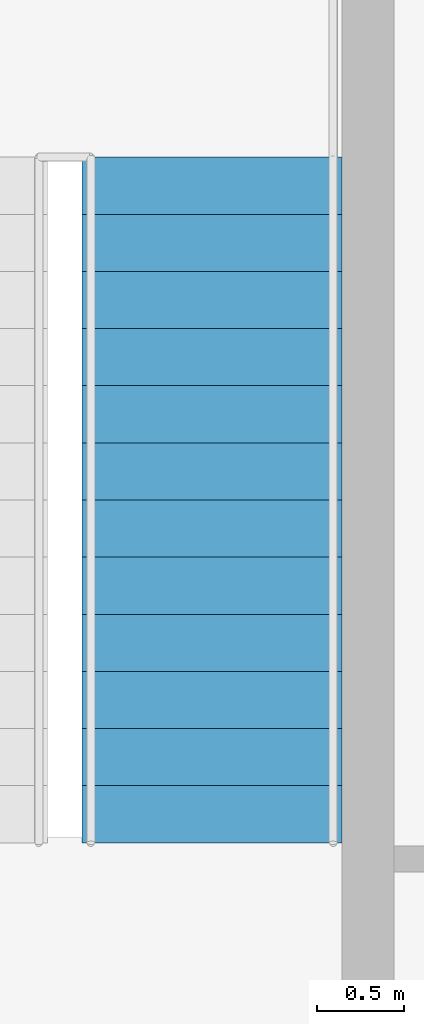
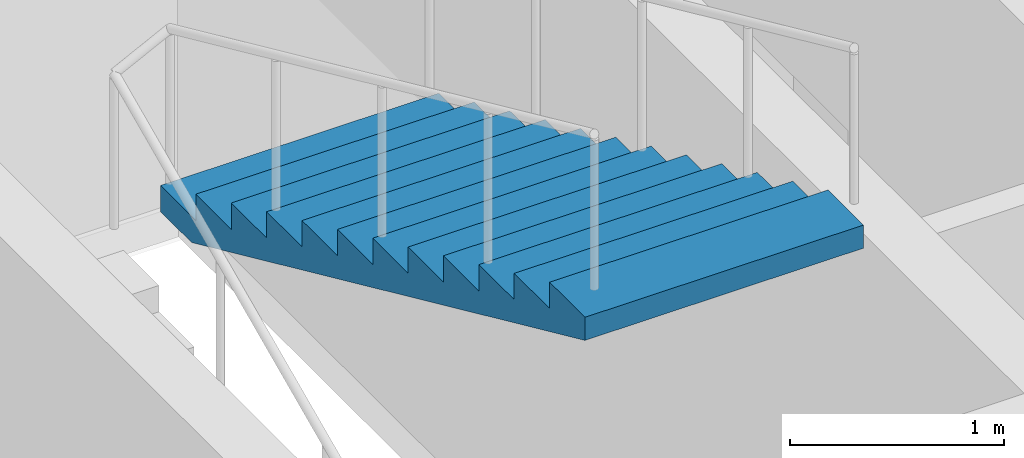
# One storey, part 10 of 11: 1 stair flight, 1 element without a shape of its own.
"""IFC4 building model written with IfcOpenShell, lengths in metres."""

import ifcopenshell
import ifcopenshell.guid

model = None  # the IFC model being written
_history = None  # IfcOwnerHistory: only IFC2X3 demands one
_inside = {}  # id of a spatial element -> (the spatial element, [elements in it])
_under = {}  # id of a project, library or spatial element -> (it, [spatial elements below it])
_declared = {}  # id of a project -> (the project, [libraries it declares])
_typed = {}  # id of a type object -> (the type object, [elements of that type])
_made_of = {}  # id of a material, layer set ... -> (it, [elements and type objects made of it])


def new_model(schema):
    """Start an empty IFC model of exactly this schema.

    Asked for "IFC4X3", IfcOpenShell would pick the latest addendum, in which some entities
    have other attributes; the version numbers below select the first issue.
    IFC2X3 requires an IfcOwnerHistory on every rooted entity: one is made here for all.
    """
    global model, _history
    if schema == "IFC4X3":
        model = ifcopenshell.file(schema_version=(4, 3, 0, 0))
    else:
        model = ifcopenshell.file(schema=schema)
    _inside.clear()
    _under.clear()
    _declared.clear()
    _typed.clear()
    _made_of.clear()
    _history = None
    if model.schema == "IFC2X3":
        org = make("IfcOrganization", Name="unknown")
        user = make(
            "IfcPersonAndOrganization",
            ThePerson=make("IfcPerson", FamilyName="unknown"),
            TheOrganization=org,
        )
        app = make(
            "IfcApplication",
            ApplicationDeveloper=org,
            Version="unknown",
            ApplicationFullName="unknown",
            ApplicationIdentifier="unknown",
        )
        _history = make(
            "IfcOwnerHistory",
            OwningUser=user,
            OwningApplication=app,
            ChangeAction="ADDED",
            CreationDate=0,
        )
    return model


def make(cls, **values):
    """One entity of the class cls with the attributes given. An attribute that is None is left unset."""
    return model.create_entity(
        cls, **{name: value for name, value in values.items() if value is not None}
    )


def rooted(cls, **values):
    """An entity with a GlobalId (a new one), such as an element, a storey or a relation."""
    return make(cls, GlobalId=ifcopenshell.guid.new(), OwnerHistory=_history, **values)


def si_unit(unit_type, name, prefix=None):
    """IfcSIUnit, for example si_unit("LENGTHUNIT", "METRE", prefix="MILLI")."""
    return make("IfcSIUnit", UnitType=unit_type, Prefix=prefix, Name=name)


def assignment(units):
    """IfcUnitAssignment: the units of a project."""
    return None if units is None else make("IfcUnitAssignment", Units=units)


def point(xyz):
    """IfcCartesianPoint."""
    return None if xyz is None else make("IfcCartesianPoint", Coordinates=xyz)


def direction(xyz):
    """IfcDirection."""
    return None if xyz is None else make("IfcDirection", DirectionRatios=xyz)


def frame(location, z_axis=None, x_axis=None):
    """IfcAxis2Placement3D, a coordinate frame: its origin and axes. An axis left out is left unset."""
    return make(
        "IfcAxis2Placement3D",
        Location=point(location),
        Axis=direction(z_axis),
        RefDirection=direction(x_axis),
    )


def origin():
    """The frame at (0, 0, 0) with its axes left unset."""
    return frame((0.0, 0.0, 0.0))


def place(relative_to, where):
    """IfcLocalPlacement: puts the frame where relative to a parent placement (None: the world)."""
    return make(
        "IfcLocalPlacement", PlacementRelTo=relative_to, RelativePlacement=where
    )


def context(
    kind, dimensions, precision=None, world=None, true_north=None, identifier=None
):
    """IfcGeometricRepresentationContext, for example the 3D "Model" context."""
    return make(
        "IfcGeometricRepresentationContext",
        ContextIdentifier=identifier,
        ContextType=kind,
        CoordinateSpaceDimension=dimensions,
        Precision=precision,
        WorldCoordinateSystem=world,
        TrueNorth=true_north,
    )


def subcontext(parent, identifier, kind, view, scale=None):
    """IfcGeometricRepresentationSubContext, for example "Body" below "Model"."""
    return make(
        "IfcGeometricRepresentationSubContext",
        ContextIdentifier=identifier,
        ContextType=kind,
        ParentContext=parent,
        TargetScale=scale,
        TargetView=view,
    )


def project(units=None, contexts=None):
    """IfcProject with its units and contexts."""
    return rooted(
        "IfcProject",
        Name="project",
        RepresentationContexts=contexts,
        UnitsInContext=assignment(units),
    )


def spatial(cls, under=None, at=None, **own):
    """A site, building, storey or space (cls), placed at a placement, below another one or the project."""
    s = rooted(cls, ObjectPlacement=at, **own)
    if under is not None:
        _under.setdefault(under.id(), (under, []))[1].append(s)
    return s


def point_list(points):
    """IfcCartesianPointList2D or 3D."""
    cls = (
        "IfcCartesianPointList2D" if len(points[0]) == 2 else "IfcCartesianPointList3D"
    )
    return make(cls, CoordList=points)


def polygons(points, faces, closed=None, point_numbers=None):
    """IfcPolygonalFaceSet: a face is its outer loop, then its inner loops; points numbered from 1."""
    made = []
    for loops in faces:
        if len(loops) == 1:
            made.append(make("IfcIndexedPolygonalFace", CoordIndex=loops[0]))
        else:
            made.append(
                make(
                    "IfcIndexedPolygonalFaceWithVoids",
                    CoordIndex=loops[0],
                    InnerCoordIndices=loops[1:],
                )
            )
    return make(
        "IfcPolygonalFaceSet",
        Coordinates=point_list(points),
        Closed=closed,
        Faces=made,
        PnIndex=point_numbers,
    )


def shape(context_of_items, identifier, shape_type, items):
    """IfcShapeRepresentation: the items that make up one representation, for example the "Body"."""
    return make(
        "IfcShapeRepresentation",
        ContextOfItems=context_of_items,
        RepresentationIdentifier=identifier,
        RepresentationType=shape_type,
        Items=items,
    )


def material(Name=None, Category=None):
    """IfcMaterial."""
    return make("IfcMaterial", Name=Name, Category=Category)


def made_of(thing, what):
    """Note that an element or type object is made of a material, layer set ...; save() writes the relation."""
    if what is not None:
        _made_of.setdefault(what.id(), (what, []))[1].append(thing)
    return thing


def type_object(cls, material=None, **own):
    """A type object (cls), such as IfcWallType, which elements share."""
    return made_of(rooted(cls, **own), material)


def element(
    cls,
    number,
    at=None,
    inside=None,
    cuts=None,
    type_object=None,
    material=None,
    context=None,
    identifier="Body",
    shape_type=None,
    held_by="IfcProductDefinitionShape",
    body=None,
    shapes=None,
    **own,
):
    """One element of the class cls, such as IfcWall. Its Tag is "e" and its number.

    at: its placement. inside: the storey or other place that contains it. cuts: it is an
    opening in that element (IfcRelVoidsElement). A single representation is given by context,
    identifier, shape_type and body (its items); several are given by shapes. held_by: the class
    of the entity that holds the representations. save() writes the other relations.
    """
    e = rooted(cls, Tag="e%d" % number, ObjectPlacement=at, **own)
    if body is not None:
        shapes = [shape(context, identifier, shape_type, body)]
    if shapes is not None:
        e.Representation = make(held_by, Representations=shapes)
    if inside is not None:
        _inside.setdefault(inside.id(), (inside, []))[1].append(e)
    if cuts is not None:
        rooted(
            "IfcRelVoidsElement", RelatingBuildingElement=cuts, RelatedOpeningElement=e
        )
    if type_object is not None:
        _typed.setdefault(type_object.id(), (type_object, []))[1].append(e)
    return made_of(e, material)


def aggregate(whole, parts):
    """IfcRelAggregates: a whole, such as a stair, and the parts it consists of."""
    return rooted("IfcRelAggregates", RelatingObject=whole, RelatedObjects=parts)


def save(model, path):
    """Write the relations noted so far, then the file.

    IfcRelAggregates (storeys below a building ...), IfcRelContainedInSpatialStructure (elements
    in a storey), IfcRelDefinesByType, IfcRelAssociatesMaterial and IfcRelDeclares: one each for
    every whole, place, type object, material and project.
    """
    for whole, parts in _under.values():
        aggregate(whole, parts)
    for where, things in _inside.values():
        rooted(
            "IfcRelContainedInSpatialStructure",
            RelatedElements=things,
            RelatingStructure=where,
        )
    for kind, things in _typed.values():
        rooted("IfcRelDefinesByType", RelatedObjects=things, RelatingType=kind)
    for what, things in _made_of.values():
        rooted("IfcRelAssociatesMaterial", RelatedObjects=things, RelatingMaterial=what)
    for by, libraries in _declared.values():
        rooted("IfcRelDeclares", RelatingContext=by, RelatedDefinitions=libraries)
    model.write(path)


model = new_model("IFC4")

# Units and contexts
model_context = context("Model", 3, precision=1e-05, world=origin(), true_north=direction((0.0, 1.0)))
body_context = subcontext(model_context, "Body", "Model", "MODEL_VIEW")
ifc_project = project(units=[si_unit("LENGTHUNIT", "METRE"), si_unit("AREAUNIT", "SQUARE_METRE"), si_unit("VOLUMEUNIT", "CUBIC_METRE"), si_unit("PLANEANGLEUNIT", "RADIAN"), si_unit("MASSUNIT", "GRAM", prefix="KILO")], contexts=[model_context])

# Site, building, storey
site_placement = place(None, origin())
site = spatial("IfcSite", under=ifc_project, at=site_placement, CompositionType="ELEMENT")
building_placement = place(site_placement, origin())
building = spatial("IfcBuilding", under=site, at=building_placement, Name="Njiva Tower", CompositionType="ELEMENT")
storey_placement = place(building_placement, frame((0.0, 0.0, 182.7)))
storey = spatial("IfcBuildingStorey", under=building, at=storey_placement, Name="L40", CompositionType="ELEMENT", Elevation=182.7)

# Stair, stair flight
ifc_material = material(Name="Concrete C40/50", Category="concrete")
stair_type = type_object("IfcStairType", Name="ST4 Exit stair 1500", PredefinedType="HALF_TURN_STAIR", material=ifc_material)
stair_placement = place(storey_placement, origin())
stair = element("IfcStair", 1, at=stair_placement, inside=storey, type_object=stair_type, Name="Stair B", PredefinedType="HALF_TURN_STAIR")
stair_flight_type = type_object("IfcStairFlightType", Name="FL4 Stair flight 1500", PredefinedType="STRAIGHT", material=ifc_material)
stair_flight_placement = place(storey_placement, frame((13.45, 15.06, 1.95), z_axis=(0.0, 0.0, 1.0), x_axis=(0.0, -1.0, 0.0)))
stair_flight = element("IfcStairFlight", 2, at=stair_flight_placement, type_object=stair_flight_type, Name="ST-B flight 2", NumberOfRisers=13, NumberOfTreads=12, PredefinedType="STRAIGHT", RiserHeight=0.15, TreadLength=0.33, context=body_context, shape_type="Tessellation", body=[
    polygons([(0.0, 0.75, 0.0), (0.0, 0.375, 0.0), (0.0, 0.0, 0.0), (0.0, -0.375, 0.0), (0.0, -0.75, 0.0), (0.0, 0.75, 0.15), (0.0, 0.375, 0.15), (0.0, 0.0, 0.15), (0.0, -0.375, 0.15), (0.0, -0.75, 0.15), (0.33, 0.75, 0.15), (0.33, 0.375, 0.15), (0.33, 0.0, 0.15), (0.33, -0.375, 0.15), (0.33, -0.75, 0.15), (0.33, 0.75, 0.3), (0.33, 0.375, 0.3), (0.33, 0.0, 0.3), (0.33, -0.375, 0.3), (0.33, -0.75, 0.3), (0.66, 0.75, 0.3), (0.66, 0.375, 0.3), (0.66, 0.0, 0.3), (0.66, -0.375, 0.3), (0.66, -0.75, 0.3), (0.66, 0.75, 0.45), (0.66, 0.375, 0.45), (0.66, 0.0, 0.45), (0.66, -0.375, 0.45), (0.66, -0.75, 0.45), (0.99, 0.75, 0.45), (0.99, 0.375, 0.45), (0.99, 0.0, 0.45), (0.99, -0.375, 0.45), (0.99, -0.75, 0.45), (0.99, 0.75, 0.6), (0.99, 0.375, 0.6), (0.99, 0.0, 0.6), (0.99, -0.375, 0.6), (0.99, -0.75, 0.6), (1.32, 0.75, 0.6), (1.32, 0.375, 0.6), (1.32, 0.0, 0.6), (1.32, -0.375, 0.6), (1.32, -0.75, 0.6), (1.32, 0.75, 0.75), (1.32, 0.375, 0.75), (1.32, 0.0, 0.75), (1.32, -0.375, 0.75), (1.32, -0.75, 0.75), (1.65, 0.75, 0.75), (1.65, 0.375, 0.75), (1.65, 0.0, 0.75), (1.65, -0.375, 0.75), (1.65, -0.75, 0.75), (1.65, 0.75, 0.9), (1.65, 0.375, 0.9), (1.65, 0.0, 0.9), (1.65, -0.375, 0.9), (1.65, -0.75, 0.9), (1.98, 0.75, 0.9), (1.98, 0.375, 0.9), (1.98, 0.0, 0.9), (1.98, -0.375, 0.9), (1.98, -0.75, 0.9), (1.98, 0.75, 1.05), (1.98, 0.375, 1.05), (1.98, 0.0, 1.05), (1.98, -0.375, 1.05), (1.98, -0.75, 1.05), (2.31, 0.75, 1.05), (2.31, 0.375, 1.05), (2.31, 0.0, 1.05), (2.31, -0.375, 1.05), (2.31, -0.75, 1.05), (2.31, 0.75, 1.2), (2.31, 0.375, 1.2), (2.31, 0.0, 1.2), (2.31, -0.375, 1.2), (2.31, -0.75, 1.2), (2.64, 0.75, 1.2), (2.64, 0.375, 1.2), (2.64, 0.0, 1.2), (2.64, -0.375, 1.2), (2.64, -0.75, 1.2), (2.64, 0.75, 1.35), (2.64, 0.375, 1.35), (2.64, 0.0, 1.35), (2.64, -0.375, 1.35), (2.64, -0.75, 1.35), (2.97, 0.75, 1.35), (2.97, 0.375, 1.35), (2.97, 0.0, 1.35), (2.97, -0.375, 1.35), (2.97, -0.75, 1.35), (2.97, 0.75, 1.5), (2.97, 0.375, 1.5), (2.97, 0.0, 1.5), (2.97, -0.375, 1.5), (2.97, -0.75, 1.5), (3.3, 0.75, 1.5), (3.3, 0.375, 1.5), (3.3, 0.0, 1.5), (3.3, -0.375, 1.5), (3.3, -0.75, 1.5), (3.3, 0.75, 1.65), (3.3, 0.375, 1.65), (3.3, 0.0, 1.65), (3.3, -0.375, 1.65), (3.3, -0.75, 1.65), (3.63, 0.75, 1.65), (3.63, 0.375, 1.65), (3.63, 0.0, 1.65), (3.63, -0.375, 1.65), (3.63, -0.75, 1.65), (3.63, 0.75, 1.8), (3.63, 0.375, 1.8), (3.63, 0.0, 1.8), (3.63, -0.375, 1.8), (3.63, -0.75, 1.8), (3.96, 0.75, 1.8), (3.96, 0.375, 1.8), (3.96, 0.0, 1.8), (3.96, -0.375, 1.8), (3.96, -0.75, 1.8), (3.96, 0.75, 1.6682), (3.96, 0.375, 1.6682), (3.96, 0.0, 1.6682), (3.96, -0.375, 1.6682), (3.96, -0.75, 1.6682), (0.29, 0.75, 0.0), (0.29, 0.375, 0.0), (0.29, 0.0, 0.0), (0.29, -0.375, 0.0), (0.29, -0.75, 0.0)], [[[1, 6, 11, 16, 21, 26, 31, 36, 41, 46, 51, 56, 61, 66, 71, 76, 81, 86, 91, 96, 101, 106, 111, 116, 121, 126, 131]], [[135, 130, 125, 120, 115, 110, 105, 100, 95, 90, 85, 80, 75, 70, 65, 60, 55, 50, 45, 40, 35, 30, 25, 20, 15, 10, 5]], [[6, 1, 2, 7]], [[7, 2, 3, 8]], [[8, 3, 4, 9]], [[9, 4, 5, 10]], [[11, 6, 7, 12]], [[12, 7, 8, 13]], [[13, 8, 9, 14]], [[14, 9, 10, 15]], [[16, 11, 12, 17]], [[17, 12, 13, 18]], [[18, 13, 14, 19]], [[19, 14, 15, 20]], [[21, 16, 17, 22]], [[22, 17, 18, 23]], [[23, 18, 19, 24]], [[24, 19, 20, 25]], [[26, 21, 22, 27]], [[27, 22, 23, 28]], [[28, 23, 24, 29]], [[29, 24, 25, 30]], [[31, 26, 27, 32]], [[32, 27, 28, 33]], [[33, 28, 29, 34]], [[34, 29, 30, 35]], [[36, 31, 32, 37]], [[37, 32, 33, 38]], [[38, 33, 34, 39]], [[39, 34, 35, 40]], [[41, 36, 37, 42]], [[42, 37, 38, 43]], [[43, 38, 39, 44]], [[44, 39, 40, 45]], [[46, 41, 42, 47]], [[47, 42, 43, 48]], [[48, 43, 44, 49]], [[49, 44, 45, 50]], [[51, 46, 47, 52]], [[52, 47, 48, 53]], [[53, 48, 49, 54]], [[54, 49, 50, 55]], [[56, 51, 52, 57]], [[57, 52, 53, 58]], [[58, 53, 54, 59]], [[59, 54, 55, 60]], [[61, 56, 57, 62]], [[62, 57, 58, 63]], [[63, 58, 59, 64]], [[64, 59, 60, 65]], [[66, 61, 62, 67]], [[67, 62, 63, 68]], [[68, 63, 64, 69]], [[69, 64, 65, 70]], [[71, 66, 67, 72]], [[72, 67, 68, 73]], [[73, 68, 69, 74]], [[74, 69, 70, 75]], [[76, 71, 72, 77]], [[77, 72, 73, 78]], [[78, 73, 74, 79]], [[79, 74, 75, 80]], [[81, 76, 77, 82]], [[82, 77, 78, 83]], [[83, 78, 79, 84]], [[84, 79, 80, 85]], [[86, 81, 82, 87]], [[87, 82, 83, 88]], [[88, 83, 84, 89]], [[89, 84, 85, 90]], [[91, 86, 87, 92]], [[92, 87, 88, 93]], [[93, 88, 89, 94]], [[94, 89, 90, 95]], [[96, 91, 92, 97]], [[97, 92, 93, 98]], [[98, 93, 94, 99]], [[99, 94, 95, 100]], [[101, 96, 97, 102]], [[102, 97, 98, 103]], [[103, 98, 99, 104]], [[104, 99, 100, 105]], [[106, 101, 102, 107]], [[107, 102, 103, 108]], [[108, 103, 104, 109]], [[109, 104, 105, 110]], [[111, 106, 107, 112]], [[112, 107, 108, 113]], [[113, 108, 109, 114]], [[114, 109, 110, 115]], [[116, 111, 112, 117]], [[117, 112, 113, 118]], [[118, 113, 114, 119]], [[119, 114, 115, 120]], [[121, 116, 117, 122]], [[122, 117, 118, 123]], [[123, 118, 119, 124]], [[124, 119, 120, 125]], [[126, 121, 122, 127]], [[127, 122, 123, 128]], [[128, 123, 124, 129]], [[129, 124, 125, 130]], [[131, 126, 127, 132]], [[132, 127, 128, 133]], [[133, 128, 129, 134]], [[134, 129, 130, 135]], [[1, 131, 132, 2]], [[2, 132, 133, 3]], [[3, 133, 134, 4]], [[4, 134, 135, 5]]], closed=True),
])
aggregate(stair, [stair_flight])

save(model, "model.ifc")
